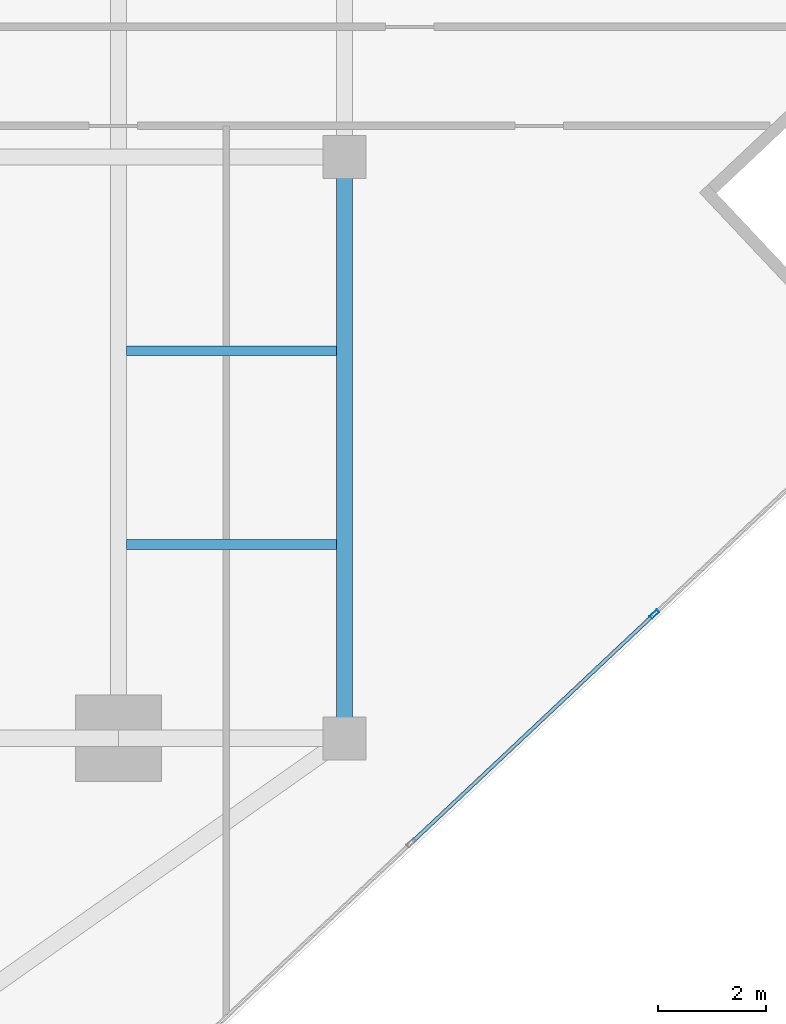
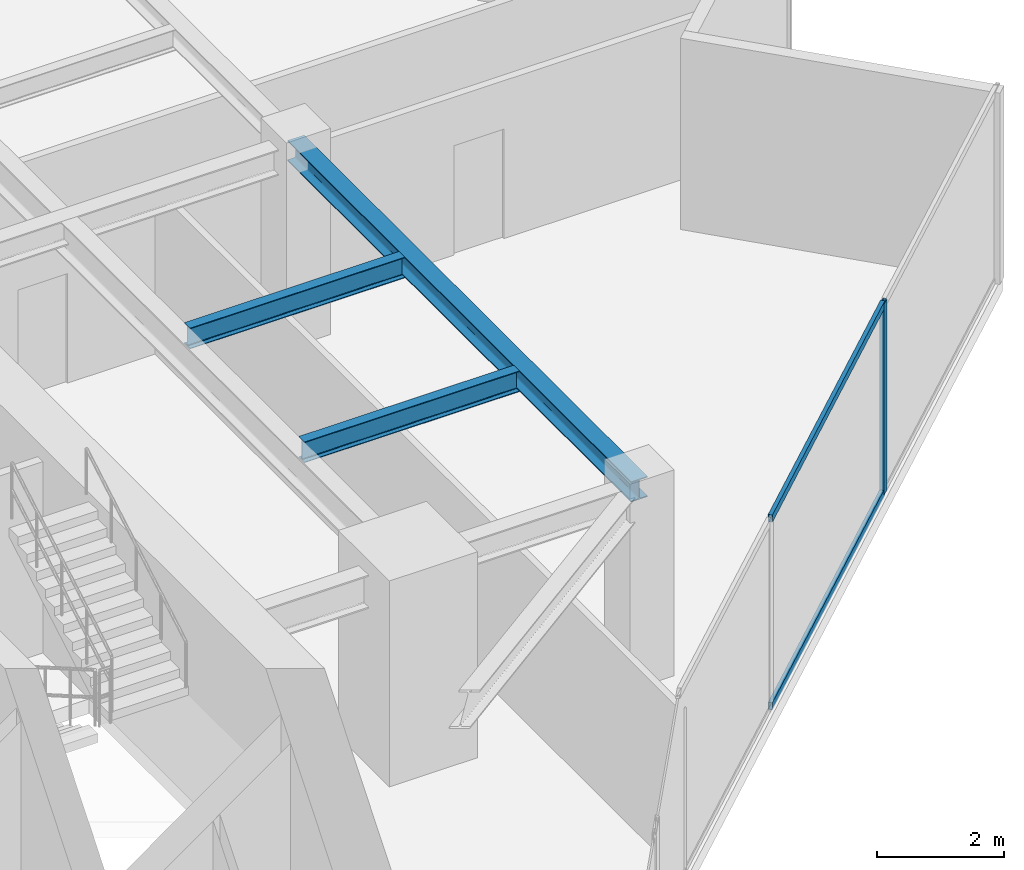
# One storey, part 10 of 24: 3 beams, 3 members, 1 element without a shape of its own.
"""IFC4 building model written with IfcOpenShell, lengths in metres."""

from ifc_helpers import new_model, si_unit, direction, frame, origin, origin_2d, place, context, subcontext, project, spatial, hollow_rectangle, i_section, extrude, source, transform, mapped, material, material_profile, profile_set, type_object, type_shapes, element, aggregate, save


model = new_model("IFC4")

# Units and contexts
model_context = context("Model", 3, precision=1e-05, world=origin(), true_north=direction((0.0, 1.0)))
body_context = subcontext(model_context, "Body", "Model", "MODEL_VIEW")
ifc_project = project(units=[si_unit("LENGTHUNIT", "METRE"), si_unit("AREAUNIT", "SQUARE_METRE"), si_unit("VOLUMEUNIT", "CUBIC_METRE"), si_unit("PLANEANGLEUNIT", "RADIAN"), si_unit("MASSUNIT", "GRAM", prefix="KILO")], contexts=[model_context])

# Site, building, storey
site_placement = place(None, origin())
site = spatial("IfcSite", under=ifc_project, at=site_placement, CompositionType="ELEMENT")
building_placement = place(site_placement, origin())
building = spatial("IfcBuilding", under=site, at=building_placement, Name="Krantzveldt Concourse Tower", CompositionType="ELEMENT")
storey_placement = place(building_placement, frame((0.0, 0.0, 242.85009765625)))
storey = spatial("IfcBuildingStorey", under=building, at=storey_placement, Name="L59", CompositionType="ELEMENT", Elevation=242.85009765625)

# Beams
ifc_material_1 = material(Name="Steel S355JR", Category="steel")
ifc_material_profile_1 = material_profile(ifc_material_1, i_section(OverallWidth=0.300048828125, OverallDepth=0.389892578125, WebThickness=0.010986328125, FlangeThickness=0.01904296875, FilletRadius=0.027099609375, at=origin_2d()), Name="Steel S355JR", Category="steel")
ifc_profile_set_1 = profile_set([ifc_material_profile_1], Name="Steel S355JR - HEA 400")
beam_type_1 = type_object("IfcBeamType", Name="BM-SP-HEA400", PredefinedType="SPANDREL", material=ifc_profile_set_1)
shared_shape_1 = source(origin(), body_context, "Body", "SweptSolid", [
    extrude(i_section(OverallWidth=0.300048828125, OverallDepth=0.389892578125, WebThickness=0.010986328125, FlangeThickness=0.01904296875, FilletRadius=0.027099609375, at=origin_2d()), origin(), (0.0, 0.0, 1.0), 10.800048828125),
])
type_shapes(beam_type_1, [shared_shape_1])
beam_placement = place(storey_placement, frame((51.0, 26.699951171875, 3.474853515625), z_axis=(0.0, -1.0, 0.0), x_axis=(1.0, 0.0, 0.0)))
element("IfcBeam", 1, at=beam_placement, inside=storey, type_object=beam_type_1, Name="L59 Tower Girder SP-R07", PredefinedType="SPANDREL", context=body_context, shape_type="MappedRepresentation", body=[
    mapped(shared_shape_1, transform((0.0, 0.0, 0.0), x_axis=(1.0, 0.0, 0.0), y_axis=(0.0, 1.0, 0.0), z_axis=(0.0, 0.0, 1.0), scale=1.0)),
])
ifc_material_profile_2 = material_profile(ifc_material_1, i_section(OverallWidth=0.179931640625, OverallDepth=0.39990234375, WebThickness=0.008544921875, FlangeThickness=0.013427734375, FilletRadius=0.02099609375, at=origin_2d()), Name="Steel S355JR", Category="steel")
ifc_profile_set_2 = profile_set([ifc_material_profile_2], Name="Steel S355JR - IPE 400")
beam_type_2 = type_object("IfcBeamType", Name="BM-J-IPE400", PredefinedType="JOIST", material=ifc_profile_set_2)
shared_shape_2 = source(origin(), body_context, "Body", "SweptSolid", [
    extrude(i_section(OverallWidth=0.179931640625, OverallDepth=0.39990234375, WebThickness=0.008544921875, FlangeThickness=0.013427734375, FilletRadius=0.02099609375, at=origin_2d()), origin(), (0.0, 0.0, 1.0), 3.900146484375),
])
type_shapes(beam_type_2, [shared_shape_2])
for number, where, z_axis, x_axis, name in (
    (2, (46.949951171875, 19.5, 3.469970703125), (1.0, 0.0, 0.0), (0.0, 1.0, 0.0), "L59 Secondary Floor Joist JE-1"),
    (3, (46.949951171875, 23.10009765625, 3.469970703125), (1.0, 0.0, 0.0), (0.0, 1.0, 0.0), "L59 Secondary Floor Joist JE-2"),
):
    element("IfcBeam", number, at=place(storey_placement, frame(where, z_axis=z_axis, x_axis=x_axis)), inside=storey, type_object=beam_type_2, Name=name, PredefinedType="JOIST", context=body_context, shape_type="MappedRepresentation", body=[
        mapped(shared_shape_2, transform((0.0, 0.0, 0.0), x_axis=(1.0, 0.0, 0.0), y_axis=(0.0, 1.0, 0.0), z_axis=(0.0, 0.0, 1.0), scale=1.0)),
    ])

# Curtain wall, members
ifc_material_2 = material(Name="Anodised aluminium 6063-T6", Category="aluminium")
curtain_wall_type = type_object("IfcCurtainWallType", Name="CW3", PredefinedType="USERDEFINED", material=ifc_material_2)
curtain_wall_placement = place(storey_placement, origin())
curtain_wall = element("IfcCurtainWall", 4, at=curtain_wall_placement, inside=storey, type_object=curtain_wall_type, Name="CW-L59-F11", ObjectType="UNITISED CURTAIN WALL", PredefinedType="USERDEFINED")
ifc_material_profile_3 = material_profile(ifc_material_2, hollow_rectangle(XDim=0.070068359375, YDim=0.179931640625, WallThickness=0.0048828125, at=origin_2d()), Name="Anodised aluminium 6063-T6", Category="aluminium")
ifc_profile_set_3 = profile_set([ifc_material_profile_3], Name="Anodised aluminium 6063-T6 - ALU-MULL 180x70x5")
member_type_1 = type_object("IfcMemberType", Name="CW-MUL-180", PredefinedType="MULLION", material=ifc_profile_set_3)
shared_shape_3 = source(origin(), body_context, "Body", "SweptSolid", [
    extrude(hollow_rectangle(XDim=0.070068359375, YDim=0.179931640625, WallThickness=0.0048828125, at=origin_2d()), origin(), (0.0, 0.0, 1.0), 3.669921875),
])
type_shapes(member_type_1, [shared_shape_3])
member_1_placement = place(storey_placement, frame((56.758544921875, 18.2060546875, 0.0), z_axis=(0.0, 0.0, 1.0), x_axis=(-0.685182945184, 0.728371012348, 0.0)))
member_1 = element("IfcMember", 5, at=member_1_placement, type_object=member_type_1, Name="CW-Z34 mullion 5", PredefinedType="MULLION", context=body_context, shape_type="MappedRepresentation", body=[
    mapped(shared_shape_3, transform((0.0, 0.0, 0.0), x_axis=(1.0, 0.0, 0.0), y_axis=(0.0, 1.0, 0.0), z_axis=(0.0, 0.0, 1.0), scale=1.0)),
])
ifc_material_profile_4 = material_profile(ifc_material_2, hollow_rectangle(XDim=0.070068359375, YDim=0.139892578125, WallThickness=0.0048828125, at=origin_2d()), Name="Anodised aluminium 6063-T6", Category="aluminium")
ifc_profile_set_4 = profile_set([ifc_material_profile_4], Name="Anodised aluminium 6063-T6 - ALU-TRAN 140x70x5")
member_type_2 = type_object("IfcMemberType", Name="CW-TRN-150", PredefinedType="USERDEFINED", material=ifc_profile_set_4)
shared_shape_4 = source(origin(), body_context, "Body", "SweptSolid", [
    extrude(hollow_rectangle(XDim=0.070068359375, YDim=0.139892578125, WallThickness=0.0048828125, at=origin_2d()), origin(), (0.0, 0.0, 1.0), 6.1298828125),
])
type_shapes(member_type_2, [shared_shape_4])
member_2_placement = place(storey_placement, frame((52.26806640625, 13.98193359375, 0.034912109375), z_axis=(0.72836366623, 0.685190754255, 0.0), x_axis=(-0.685190754255, 0.72836366623, 0.0)))
member_2 = element("IfcMember", 6, at=member_2_placement, type_object=member_type_2, Name="CW-Z34 transom 4.1", ObjectType="TRANSOM", PredefinedType="USERDEFINED", context=body_context, shape_type="MappedRepresentation", body=[
    mapped(shared_shape_4, transform((0.0, 0.0, 0.0), x_axis=(1.0, 0.0, 0.0), y_axis=(0.0, 1.0, 0.0), z_axis=(0.0, 0.0, 1.0), scale=1.0)),
])
member_3_placement = place(storey_placement, frame((52.26806640625, 13.98193359375, 3.635009765625), z_axis=(0.72836366623, 0.685190754255, 0.0), x_axis=(-0.685190754255, 0.72836366623, 0.0)))
member_3 = element("IfcMember", 7, at=member_3_placement, type_object=member_type_2, Name="CW-Z34 transom 4.2", ObjectType="TRANSOM", PredefinedType="USERDEFINED", context=body_context, shape_type="MappedRepresentation", body=[
    mapped(shared_shape_4, transform((0.0, 0.0, 0.0), x_axis=(1.0, 0.0, 0.0), y_axis=(0.0, 1.0, 0.0), z_axis=(0.0, 0.0, 1.0), scale=1.0)),
])
aggregate(curtain_wall, [member_1, member_2, member_3])

save(model, "model.ifc")
